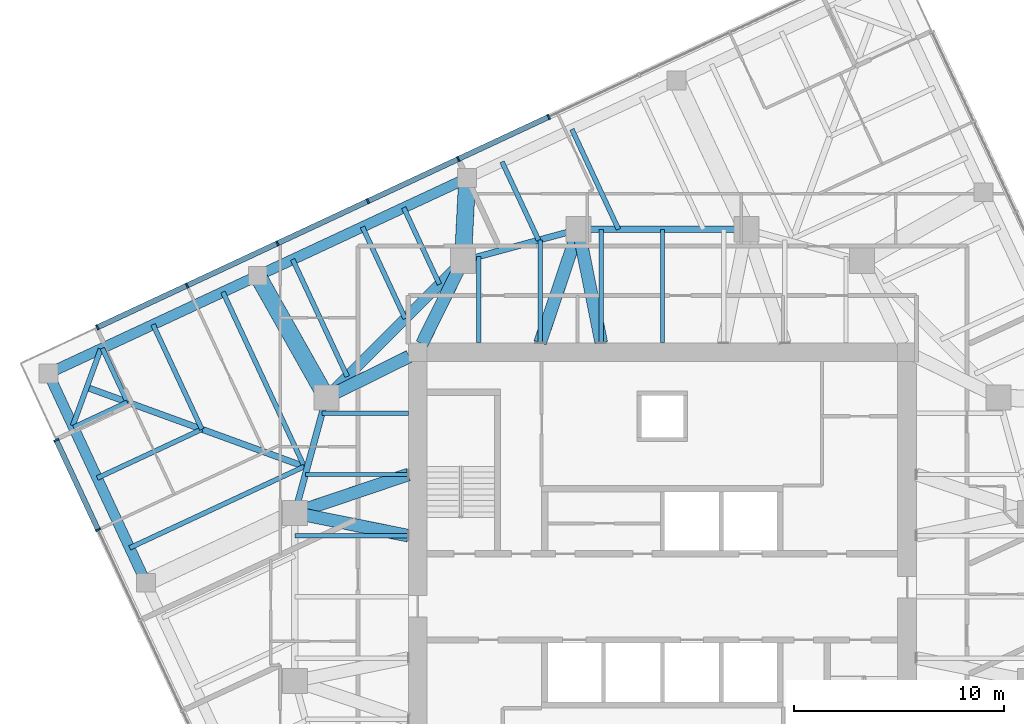
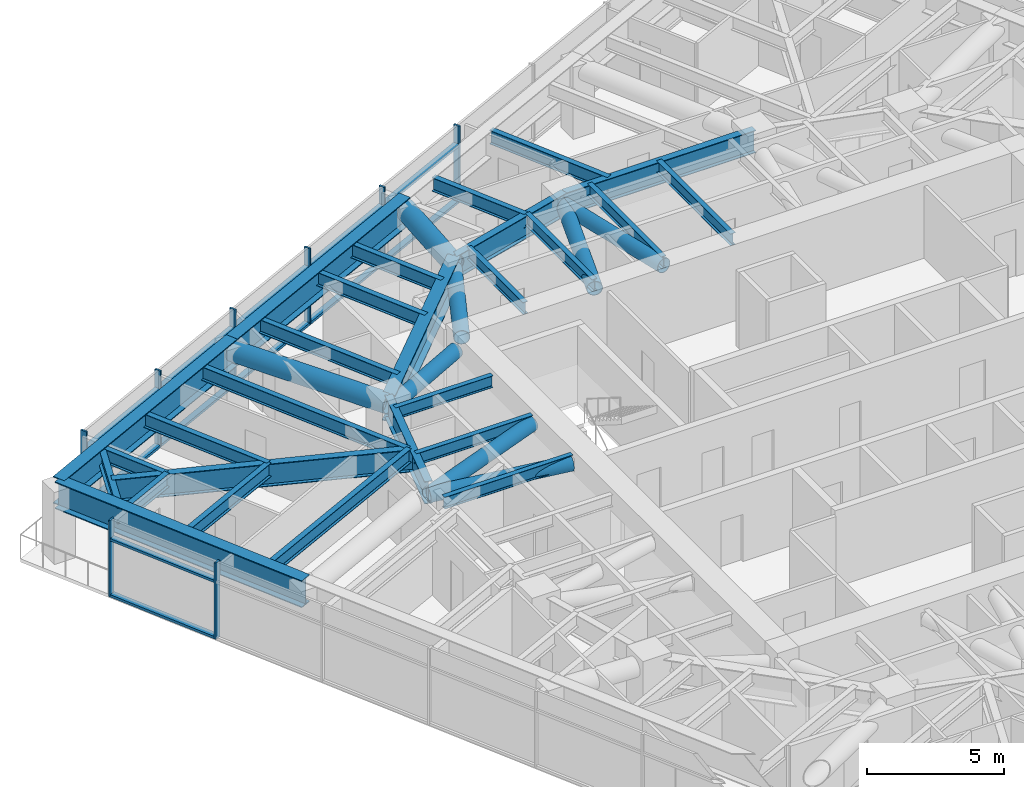
# One storey, part 5 of 16: 28 members, 27 beams, 2 elements without a shape of their own.
"""IFC4 building model written with IfcOpenShell, lengths in metres."""

from ifc_helpers import new_model, si_unit, direction, frame, origin, origin_2d, place, context, subcontext, project, spatial, rectangle, hollow_circle, i_section, extrude, material, material_profile, profile_set, type_object, element, aggregate, save


model = new_model("IFC4")

# Units and contexts
model_context = context("Model", 3, precision=1e-05, world=origin(), true_north=direction((0.0, 1.0)))
body_context = subcontext(model_context, "Body", "Model", "MODEL_VIEW")
ifc_project = project(units=[si_unit("LENGTHUNIT", "METRE"), si_unit("AREAUNIT", "SQUARE_METRE"), si_unit("VOLUMEUNIT", "CUBIC_METRE"), si_unit("PLANEANGLEUNIT", "RADIAN"), si_unit("MASSUNIT", "GRAM", prefix="KILO")], contexts=[model_context])

# Site, building, storey
site_placement = place(None, origin())
site = spatial("IfcSite", under=ifc_project, at=site_placement, CompositionType="ELEMENT")
building_placement = place(site_placement, origin())
building = spatial("IfcBuilding", under=site, at=building_placement, Name="Torsade Residences", CompositionType="ELEMENT")
storey_placement = place(building_placement, frame((0.0, 0.0, 199.800048828125)))
storey = spatial("IfcBuildingStorey", under=building, at=storey_placement, Name="L55", CompositionType="ELEMENT", Elevation=199.800048828125)

# Beams
ifc_material_1 = material(Name="Steel grade 300", Category="steel")
ifc_material_profile_1 = material_profile(ifc_material_1, i_section(OverallWidth=0.300048828125, OverallDepth=1.0, WebThickness=0.01611328125, FlangeThickness=0.028076171875, at=origin_2d()), Name="1000WB215")
ifc_profile_set_1 = profile_set([ifc_material_profile_1], Name="Steel grade 300")
beam_type_1 = type_object("IfcBeamType", Name="CORNER GIRDER 1000WB215", PredefinedType="BEAM", material=ifc_profile_set_1)
beam_1_placement = place(storey_placement, frame((12.5908203125, 39.97607421875, 2.699951171875), z_axis=(0.93969447651, -0.342015044723, 0.0), x_axis=(0.342015044723, 0.93969447651, 0.0)))
element("IfcBeam", 1, at=beam_1_placement, inside=storey, type_object=beam_type_1, Name="Corner girder 13 L56", PredefinedType="BEAM", context=body_context, shape_type="SweptSolid", body=[
    extrude(i_section(OverallWidth=0.300048828125, OverallDepth=1.0, WebThickness=0.01611328125, FlangeThickness=0.028076171875, at=origin_2d()), origin(), (0.0, 0.0, 1.0), 11.170654296875),
])
ifc_material_2 = material(Name="Steel grade 300", Category="steel")
ifc_material_profile_2 = material_profile(ifc_material_2, i_section(OverallWidth=0.25, OverallDepth=0.699951171875, WebThickness=0.010009765625, FlangeThickness=0.02001953125, at=origin_2d()), Name="700WB130")
ifc_profile_set_2 = profile_set([ifc_material_profile_2], Name="Steel grade 300")
beam_type_2 = type_object("IfcBeamType", Name="CORNER TRIMMER 700WB130", PredefinedType="BEAM", material=ifc_profile_set_2)
beam_2_placement = place(storey_placement, frame((11.92578125, 38.14892578125, 2.849853515625), z_axis=(0.342005152204, 0.939698076972, 0.0), x_axis=(-0.939698076972, 0.342005152204, 0.0)))
element("IfcBeam", 2, at=beam_2_placement, inside=storey, type_object=beam_type_2, Name="Corner trimmer 13 L56", PredefinedType="BEAM", context=body_context, shape_type="SweptSolid", body=[
    extrude(i_section(OverallWidth=0.25, OverallDepth=0.699951171875, WebThickness=0.010009765625, FlangeThickness=0.02001953125, at=origin_2d()), origin(), (0.0, 0.0, 1.0), 3.88916015625),
])
ifc_material_3 = material(Name="Steel grade 300", Category="steel")
ifc_material_profile_3 = material_profile(ifc_material_3, i_section(OverallWidth=0.208984375, OverallDepth=0.528076171875, WebThickness=0.009521484375, FlangeThickness=0.01318359375, FilletRadius=0.013916015625, at=origin_2d()), Name="530UB82.0")
ifc_profile_set_3 = profile_set([ifc_material_profile_3], Name="Steel grade 300")
beam_type_3 = type_object("IfcBeamType", Name="INNER FLOOR BEAM 530UB82.0", PredefinedType="JOIST", material=ifc_profile_set_3)
beam_3_placement = place(storey_placement, frame((31.262451171875, 42.10009765625, 2.93603515625), z_axis=(0.0, 1.0, 0.0), x_axis=(-1.0, 0.0, 0.0)))
element("IfcBeam", 3, at=beam_3_placement, inside=storey, type_object=beam_type_3, Name="Inner floor beam IN01 L56", PredefinedType="JOIST", context=body_context, shape_type="SweptSolid", body=[
    extrude(i_section(OverallWidth=0.208984375, OverallDepth=0.528076171875, WebThickness=0.009521484375, FlangeThickness=0.01318359375, FilletRadius=0.013916015625, at=origin_2d()), origin(), (0.0, 0.0, 1.0), 4.10791015625),
])
beam_4_placement = place(storey_placement, frame((34.175048828125, 42.10009765625, 2.93603515625), z_axis=(0.0, 1.0, 0.0), x_axis=(-1.0, 0.0, 0.0)))
element("IfcBeam", 4, at=beam_4_placement, inside=storey, type_object=beam_type_3, Name="Inner floor beam IN02 L56", PredefinedType="JOIST", context=body_context, shape_type="SweptSolid", body=[
    extrude(i_section(OverallWidth=0.208984375, OverallDepth=0.528076171875, WebThickness=0.009521484375, FlangeThickness=0.01318359375, FilletRadius=0.013916015625, at=origin_2d()), origin(), (0.0, 0.0, 1.0), 4.902099609375),
])
for number, where, z_axis, x_axis, name in (
    (5, (37.08740234375, 42.10009765625, 2.93603515625), (0.0, 1.0, 0.0), (-1.0, 0.0, 0.0), "Inner floor beam IN03 L56"),
    (6, (40.0, 42.10009765625, 2.93603515625), (0.0, 1.0, 0.0), (-1.0, 0.0, 0.0), "Inner floor beam IN04 L56"),
):
    element("IfcBeam", number, at=place(storey_placement, frame(where, z_axis=z_axis, x_axis=x_axis)), inside=storey, type_object=beam_type_3, Name=name, PredefinedType="JOIST", context=body_context, shape_type="SweptSolid", body=[
        extrude(i_section(OverallWidth=0.208984375, OverallDepth=0.528076171875, WebThickness=0.009521484375, FlangeThickness=0.01318359375, FilletRadius=0.013916015625, at=origin_2d()), origin(), (0.0, 0.0, 1.0), 5.39990234375),
    ])
beam_5_placement = place(storey_placement, frame((27.89990234375, 38.737548828125, 2.93603515625), z_axis=(-1.0, 0.0, 0.0), x_axis=(0.0, -1.0, 0.0)))
element("IfcBeam", 7, at=beam_5_placement, inside=storey, type_object=beam_type_3, Name="Inner floor beam IW01 L56", PredefinedType="JOIST", context=body_context, shape_type="SweptSolid", body=[
    extrude(i_section(OverallWidth=0.208984375, OverallDepth=0.528076171875, WebThickness=0.009521484375, FlangeThickness=0.01318359375, FilletRadius=0.013916015625, at=origin_2d()), origin(), (0.0, 0.0, 1.0), 4.10791015625),
])
beam_6_placement = place(storey_placement, frame((27.89990234375, 35.824951171875, 2.93603515625), z_axis=(-1.0, 0.0, 0.0), x_axis=(0.0, -1.0, 0.0)))
element("IfcBeam", 8, at=beam_6_placement, inside=storey, type_object=beam_type_3, Name="Inner floor beam IW02 L56", PredefinedType="JOIST", context=body_context, shape_type="SweptSolid", body=[
    extrude(i_section(OverallWidth=0.208984375, OverallDepth=0.528076171875, WebThickness=0.009521484375, FlangeThickness=0.01318359375, FilletRadius=0.013916015625, at=origin_2d()), origin(), (0.0, 0.0, 1.0), 4.902099609375),
])
beam_7_placement = place(storey_placement, frame((27.89990234375, 32.91259765625, 2.93603515625), z_axis=(-1.0, 0.0, 0.0), x_axis=(0.0, -1.0, 0.0)))
element("IfcBeam", 9, at=beam_7_placement, inside=storey, type_object=beam_type_3, Name="Inner floor beam IW03 L56", PredefinedType="JOIST", context=body_context, shape_type="SweptSolid", body=[
    extrude(i_section(OverallWidth=0.208984375, OverallDepth=0.528076171875, WebThickness=0.009521484375, FlangeThickness=0.01318359375, FilletRadius=0.013916015625, at=origin_2d()), origin(), (0.0, 0.0, 1.0), 5.39990234375),
])

# Curtain wall, members
ifc_material_4 = material(Name="Aluminium and glass", Category="aluminium")
curtain_wall_type = type_object("IfcCurtainWallType", Name="FRITTED GLASS CURTAIN WALL MID ZONE", PredefinedType="NOTDEFINED", material=ifc_material_4)
curtain_wall_1_placement = place(storey_placement, origin())
curtain_wall_1 = element("IfcCurtainWall", 10, at=curtain_wall_1_placement, inside=storey, type_object=curtain_wall_type, Name="Curtain wall L55 face 7", PredefinedType="NOTDEFINED")
ifc_material_5 = material(Name="Aluminium mullion", Category="aluminium")
ifc_material_profile_4 = material_profile(ifc_material_5, rectangle(XDim=0.25, YDim=0.080078125, at=origin_2d()), Name="MID ZONE CURTAIN WALL MULLION 250x80")
ifc_profile_set_4 = profile_set([ifc_material_profile_4], Name="Aluminium mullion")
member_type_1 = type_object("IfcMemberType", Name="MID ZONE CURTAIN WALL MULLION 250x80", PredefinedType="MULLION", material=ifc_profile_set_4)
member_1_placement = place(storey_placement, frame((34.584716796875, 52.8525390625, 0.0), z_axis=(0.0, 0.0, 1.0), x_axis=(0.422618261978, -0.906307786926, 0.0)))
member_1 = element("IfcMember", 11, at=member_1_placement, type_object=member_type_1, Name="Mullion 4", PredefinedType="MULLION", context=body_context, shape_type="SweptSolid", body=[
    extrude(rectangle(XDim=0.25, YDim=0.080078125, at=origin_2d()), origin(), (0.0, 0.0, 1.0), 3.39990234375),
])
member_2_placement = place(storey_placement, frame((30.27978515625, 50.844970703125, 0.0), z_axis=(0.0, 0.0, 1.0), x_axis=(0.422618261978, -0.906307786926, 0.0)))
member_2 = element("IfcMember", 12, at=member_2_placement, type_object=member_type_1, Name="Mullion 5", PredefinedType="MULLION", context=body_context, shape_type="SweptSolid", body=[
    extrude(rectangle(XDim=0.25, YDim=0.080078125, at=origin_2d()), origin(), (0.0, 0.0, 1.0), 3.39990234375),
])
member_3_placement = place(storey_placement, frame((25.974853515625, 48.837646484375, 0.0), z_axis=(0.0, 0.0, 1.0), x_axis=(0.422618261978, -0.906307786926, 0.0)))
member_3 = element("IfcMember", 13, at=member_3_placement, type_object=member_type_1, Name="Mullion 6", PredefinedType="MULLION", context=body_context, shape_type="SweptSolid", body=[
    extrude(rectangle(XDim=0.25, YDim=0.080078125, at=origin_2d()), origin(), (0.0, 0.0, 1.0), 3.39990234375),
])
member_4_placement = place(storey_placement, frame((21.669921875, 46.830322265625, 0.0), z_axis=(0.0, 0.0, 1.0), x_axis=(0.422618261978, -0.906307786926, 0.0)))
member_4 = element("IfcMember", 14, at=member_4_placement, type_object=member_type_1, Name="Mullion 7", PredefinedType="MULLION", context=body_context, shape_type="SweptSolid", body=[
    extrude(rectangle(XDim=0.25, YDim=0.080078125, at=origin_2d()), origin(), (0.0, 0.0, 1.0), 3.39990234375),
])
member_5_placement = place(storey_placement, frame((17.364990234375, 44.82275390625, 0.0), z_axis=(0.0, 0.0, 1.0), x_axis=(0.422618261978, -0.906307786926, 0.0)))
member_5 = element("IfcMember", 15, at=member_5_placement, type_object=member_type_1, Name="Mullion 8", PredefinedType="MULLION", context=body_context, shape_type="SweptSolid", body=[
    extrude(rectangle(XDim=0.25, YDim=0.080078125, at=origin_2d()), origin(), (0.0, 0.0, 1.0), 3.39990234375),
])
member_6_placement = place(storey_placement, frame((13.09619140625, 42.832275390625, 0.0), z_axis=(0.0, 0.0, 1.0), x_axis=(0.422618261978, -0.906307786926, 0.0)))
member_6 = element("IfcMember", 16, at=member_6_placement, type_object=member_type_1, Name="Mullion 9", PredefinedType="MULLION", context=body_context, shape_type="SweptSolid", body=[
    extrude(rectangle(XDim=0.25, YDim=0.080078125, at=origin_2d()), origin(), (0.0, 0.0, 1.0), 3.39990234375),
])

curtain_wall_2_placement = place(storey_placement, origin())
curtain_wall_2 = element("IfcCurtainWall", 17, at=curtain_wall_2_placement, inside=storey, type_object=curtain_wall_type, Name="Curtain wall L55 face 10", PredefinedType="NOTDEFINED")
member_7_placement = place(storey_placement, frame((11.14208984375, 37.46337890625, 0.0), z_axis=(0.0, 0.0, 1.0), x_axis=(0.906307786926, 0.422618261978, 0.0)))
member_7 = element("IfcMember", 18, at=member_7_placement, type_object=member_type_1, Name="Mullion 1", PredefinedType="MULLION", context=body_context, shape_type="SweptSolid", body=[
    extrude(rectangle(XDim=0.25, YDim=0.080078125, at=origin_2d()), origin(), (0.0, 0.0, 1.0), 3.39990234375),
])
member_8_placement = place(storey_placement, frame((13.132568359375, 33.194580078125, 0.0), z_axis=(0.0, 0.0, 1.0), x_axis=(0.906307786926, 0.422618261978, 0.0)))
member_8 = element("IfcMember", 19, at=member_8_placement, type_object=member_type_1, Name="Mullion 2", PredefinedType="MULLION", context=body_context, shape_type="SweptSolid", body=[
    extrude(rectangle(XDim=0.25, YDim=0.080078125, at=origin_2d()), origin(), (0.0, 0.0, 1.0), 3.39990234375),
])

# Member
ifc_material_6 = material(Name="Aluminium transom", Category="aluminium")
ifc_material_profile_5 = material_profile(ifc_material_6, rectangle(XDim=0.25, YDim=0.110107421875, at=origin_2d()), Name="MID ZONE CURTAIN WALL TRANSOM 250x110")
ifc_profile_set_5 = profile_set([ifc_material_profile_5], Name="Aluminium transom")
member_type_2 = type_object("IfcMemberType", Name="MID ZONE CURTAIN WALL TRANSOM 250x110", PredefinedType="USERDEFINED", material=ifc_profile_set_5)
member_9_placement = place(storey_placement, frame((34.548583984375, 52.835693359375, 0.054931640625), z_axis=(-0.90631531293, -0.422602122035, 0.0), x_axis=(0.422602122035, -0.90631531293, 0.0)))
member_9 = element("IfcMember", 20, at=member_9_placement, type_object=member_type_2, Name="Transom 4.1", ObjectType="TRANSOM", PredefinedType="USERDEFINED", context=body_context, shape_type="SweptSolid", body=[
    extrude(rectangle(XDim=0.25, YDim=0.110107421875, at=origin_2d()), origin(), (0.0, 0.0, 1.0), 4.670166015625),
])

member_10_placement = place(storey_placement, frame((34.548583984375, 52.835693359375, 2.554931640625), z_axis=(-0.90631531293, -0.422602122035, 0.0), x_axis=(0.422602122035, -0.90631531293, 0.0)))
member_10 = element("IfcMember", 21, at=member_10_placement, type_object=member_type_2, Name="Transom 4.2", ObjectType="TRANSOM", PredefinedType="USERDEFINED", context=body_context, shape_type="SweptSolid", body=[
    extrude(rectangle(XDim=0.25, YDim=0.110107421875, at=origin_2d()), origin(), (0.0, 0.0, 1.0), 4.670166015625),
])

member_11_placement = place(storey_placement, frame((30.243408203125, 50.828125, 0.054931640625), z_axis=(-0.906305976097, -0.422622145291, 0.0), x_axis=(0.422622145291, -0.906305976097, 0.0)))
member_11 = element("IfcMember", 22, at=member_11_placement, type_object=member_type_2, Name="Transom 5.1", ObjectType="TRANSOM", PredefinedType="USERDEFINED", context=body_context, shape_type="SweptSolid", body=[
    extrude(rectangle(XDim=0.25, YDim=0.110107421875, at=origin_2d()), origin(), (0.0, 0.0, 1.0), 4.669921875),
])

member_12_placement = place(storey_placement, frame((30.243408203125, 50.828125, 2.554931640625), z_axis=(-0.906305976097, -0.422622145291, 0.0), x_axis=(0.422622145291, -0.906305976097, 0.0)))
member_12 = element("IfcMember", 23, at=member_12_placement, type_object=member_type_2, Name="Transom 5.2", ObjectType="TRANSOM", PredefinedType="USERDEFINED", context=body_context, shape_type="SweptSolid", body=[
    extrude(rectangle(XDim=0.25, YDim=0.110107421875, at=origin_2d()), origin(), (0.0, 0.0, 1.0), 4.669921875),
])

member_13_placement = place(storey_placement, frame((25.9384765625, 48.82080078125, 0.054931640625), z_axis=(-0.906305976097, -0.422622145291, 0.0), x_axis=(0.422622145291, -0.906305976097, 0.0)))
member_13 = element("IfcMember", 24, at=member_13_placement, type_object=member_type_2, Name="Transom 6.1", ObjectType="TRANSOM", PredefinedType="USERDEFINED", context=body_context, shape_type="SweptSolid", body=[
    extrude(rectangle(XDim=0.25, YDim=0.110107421875, at=origin_2d()), origin(), (0.0, 0.0, 1.0), 4.669921875),
])

member_14_placement = place(storey_placement, frame((25.9384765625, 48.82080078125, 2.554931640625), z_axis=(-0.906305976097, -0.422622145291, 0.0), x_axis=(0.422622145291, -0.906305976097, 0.0)))
member_14 = element("IfcMember", 25, at=member_14_placement, type_object=member_type_2, Name="Transom 6.2", ObjectType="TRANSOM", PredefinedType="USERDEFINED", context=body_context, shape_type="SweptSolid", body=[
    extrude(rectangle(XDim=0.25, YDim=0.110107421875, at=origin_2d()), origin(), (0.0, 0.0, 1.0), 4.669921875),
])

member_15_placement = place(storey_placement, frame((21.633544921875, 46.813232421875, 0.054931640625), z_axis=(-0.906305976097, -0.422622145291, 0.0), x_axis=(0.422622145291, -0.906305976097, 0.0)))
member_15 = element("IfcMember", 26, at=member_15_placement, type_object=member_type_2, Name="Transom 7.1", ObjectType="TRANSOM", PredefinedType="USERDEFINED", context=body_context, shape_type="SweptSolid", body=[
    extrude(rectangle(XDim=0.25, YDim=0.110107421875, at=origin_2d()), origin(), (0.0, 0.0, 1.0), 4.669921875),
])

member_16_placement = place(storey_placement, frame((21.633544921875, 46.813232421875, 2.554931640625), z_axis=(-0.906305976097, -0.422622145291, 0.0), x_axis=(0.422622145291, -0.906305976097, 0.0)))
member_16 = element("IfcMember", 27, at=member_16_placement, type_object=member_type_2, Name="Transom 7.2", ObjectType="TRANSOM", PredefinedType="USERDEFINED", context=body_context, shape_type="SweptSolid", body=[
    extrude(rectangle(XDim=0.25, YDim=0.110107421875, at=origin_2d()), origin(), (0.0, 0.0, 1.0), 4.669921875),
])

member_17_placement = place(storey_placement, frame((17.32861328125, 44.805908203125, 0.054931640625), z_axis=(-0.906305687176, -0.422622764878, 0.0), x_axis=(0.422622764878, -0.906305687176, 0.0)))
member_17 = element("IfcMember", 28, at=member_17_placement, type_object=member_type_2, Name="Transom 8.1", ObjectType="TRANSOM", PredefinedType="USERDEFINED", context=body_context, shape_type="SweptSolid", body=[
    extrude(rectangle(XDim=0.25, YDim=0.110107421875, at=origin_2d()), origin(), (0.0, 0.0, 1.0), 4.630126953125),
])

member_18_placement = place(storey_placement, frame((17.32861328125, 44.805908203125, 2.554931640625), z_axis=(-0.906305687176, -0.422622764878, 0.0), x_axis=(0.422622764878, -0.906305687176, 0.0)))
member_18 = element("IfcMember", 29, at=member_18_placement, type_object=member_type_2, Name="Transom 8.2", ObjectType="TRANSOM", PredefinedType="USERDEFINED", context=body_context, shape_type="SweptSolid", body=[
    extrude(rectangle(XDim=0.25, YDim=0.110107421875, at=origin_2d()), origin(), (0.0, 0.0, 1.0), 4.630126953125),
])

aggregate(curtain_wall_1, [member_1, member_2, member_3, member_4, member_5, member_6, member_9, member_10, member_11, member_12, member_13, member_14, member_15, member_16, member_17, member_18])

member_19_placement = place(storey_placement, frame((11.158935546875, 37.427001953125, 0.054931640625), z_axis=(0.422642962277, -0.906296268578, 0.0), x_axis=(0.906296268578, 0.422642962277, 0.0)))
member_19 = element("IfcMember", 30, at=member_19_placement, type_object=member_type_2, Name="Transom 1.1", ObjectType="TRANSOM", PredefinedType="USERDEFINED", context=body_context, shape_type="SweptSolid", body=[
    extrude(rectangle(XDim=0.25, YDim=0.110107421875, at=origin_2d()), origin(), (0.0, 0.0, 1.0), 4.6298828125),
])

member_20_placement = place(storey_placement, frame((11.158935546875, 37.427001953125, 2.554931640625), z_axis=(0.422642962277, -0.906296268578, 0.0), x_axis=(0.906296268578, 0.422642962277, 0.0)))
member_20 = element("IfcMember", 31, at=member_20_placement, type_object=member_type_2, Name="Transom 1.2", ObjectType="TRANSOM", PredefinedType="USERDEFINED", context=body_context, shape_type="SweptSolid", body=[
    extrude(rectangle(XDim=0.25, YDim=0.110107421875, at=origin_2d()), origin(), (0.0, 0.0, 1.0), 4.6298828125),
])

aggregate(curtain_wall_2, [member_7, member_8, member_19, member_20])

# Beams
ifc_material_7 = material(Name="Steel grade 300", Category="steel")
ifc_material_profile_6 = material_profile(ifc_material_7, i_section(OverallWidth=0.5, OverallDepth=1.199951171875, WebThickness=0.01611328125, FlangeThickness=0.0400390625, at=origin_2d()), Name="1200WB455")
ifc_profile_set_6 = profile_set([ifc_material_profile_6], Name="Steel grade 300")
beam_type_4 = type_object("IfcBeamType", Name="RING CORNER GIRDER 1200WB455", PredefinedType="BEAM", material=ifc_profile_set_6)
beam_8_placement = place(storey_placement, frame((30.5, 46.0, 2.599853515625), z_axis=(-0.707106781187, -0.707106781187, 0.0), x_axis=(0.707106781187, -0.707106781187, 0.0)))
element("IfcBeam", 32, at=beam_8_placement, inside=storey, type_object=beam_type_4, Name="Ring girder IR07 L56", PredefinedType="BEAM", context=body_context, shape_type="SweptSolid", body=[
    extrude(i_section(OverallWidth=0.5, OverallDepth=1.199951171875, WebThickness=0.01611328125, FlangeThickness=0.0400390625, at=origin_2d()), origin(), (0.0, 0.0, 1.0), 9.1923828125),
])
ifc_material_8 = material(Name="Steel grade 300", Category="steel")
ifc_material_profile_7 = material_profile(ifc_material_8, i_section(OverallWidth=0.300048828125, OverallDepth=1.0, WebThickness=0.01611328125, FlangeThickness=0.028076171875, at=origin_2d()), Name="1000WB215")
ifc_profile_set_7 = profile_set([ifc_material_profile_7], Name="Steel grade 300")
beam_type_5 = type_object("IfcBeamType", Name="RING GIRDER 1000WB215", PredefinedType="BEAM", material=ifc_profile_set_7)
beam_9_placement = place(storey_placement, frame((44.0, 47.5, 2.699951171875), z_axis=(-1.0, 0.0, 0.0), x_axis=(0.0, -1.0, 0.0)))
element("IfcBeam", 33, at=beam_9_placement, inside=storey, type_object=beam_type_5, Name="Ring girder IR05 L56", PredefinedType="BEAM", context=body_context, shape_type="SweptSolid", body=[
    extrude(i_section(OverallWidth=0.300048828125, OverallDepth=1.0, WebThickness=0.01611328125, FlangeThickness=0.028076171875, at=origin_2d()), origin(), (0.0, 0.0, 1.0), 8.0),
])
for number, where, z_axis, x_axis, name in (
    (34, (36.0, 47.5, 2.699951171875), (-0.964763821238, -0.263117405792, 0.0), (0.263117405792, -0.964763821238, 0.0), "Ring girder IR06 L56"),
    (35, (24.0, 39.5, 2.699951171875), (-0.263117405792, -0.964763821238, 0.0), (0.964763821238, -0.263117405792, 0.0), "Ring girder IR08 L56"),
):
    element("IfcBeam", number, at=place(storey_placement, frame(where, z_axis=z_axis, x_axis=x_axis)), inside=storey, type_object=beam_type_5, Name=name, PredefinedType="BEAM", context=body_context, shape_type="SweptSolid", body=[
        extrude(i_section(OverallWidth=0.300048828125, OverallDepth=1.0, WebThickness=0.01611328125, FlangeThickness=0.028076171875, at=origin_2d()), origin(), (0.0, 0.0, 1.0), 5.700927734375),
    ])
ifc_material_9 = material(Name="Steel grade 300", Category="steel")
ifc_material_profile_8 = material_profile(ifc_material_9, i_section(OverallWidth=0.22900390625, OverallDepth=0.612060546875, WebThickness=0.011962890625, FlangeThickness=0.01953125, FilletRadius=0.013916015625, at=origin_2d()), Name="610UB125")
ifc_profile_set_8 = profile_set([ifc_material_profile_8], Name="Steel grade 300")
beam_type_6 = type_object("IfcBeamType", Name="SECONDARY BEAM 610UB125", PredefinedType="JOIST", material=ifc_profile_set_8)
beam_10_placement = place(storey_placement, frame((35.68701171875, 52.26318359375, 2.89404296875), z_axis=(0.422631142882, -0.90630178035, 0.0), x_axis=(0.90630178035, 0.422631142882, 0.0)))
element("IfcBeam", 36, at=beam_10_placement, inside=storey, type_object=beam_type_6, Name="Floor beam FN05 L56", PredefinedType="JOIST", context=body_context, shape_type="SweptSolid", body=[
    extrude(i_section(OverallWidth=0.22900390625, OverallDepth=0.612060546875, WebThickness=0.011962890625, FlangeThickness=0.01953125, FilletRadius=0.013916015625, at=origin_2d()), origin(), (0.0, 0.0, 1.0), 5.255615234375),
])
beam_11_placement = place(storey_placement, frame((32.364013671875, 50.713623046875, 2.89404296875), z_axis=(0.422635442612, -0.906299775267, 0.0), x_axis=(0.906299775267, 0.422635442612, 0.0)))
element("IfcBeam", 37, at=beam_11_placement, inside=storey, type_object=beam_type_6, Name="Floor beam FN06 L56", PredefinedType="JOIST", context=body_context, shape_type="SweptSolid", body=[
    extrude(i_section(OverallWidth=0.22900390625, OverallDepth=0.612060546875, WebThickness=0.011962890625, FlangeThickness=0.01953125, FilletRadius=0.013916015625, at=origin_2d()), origin(), (0.0, 0.0, 1.0), 4.116455078125),
])
beam_12_placement = place(storey_placement, frame((27.681396484375, 48.530029296875, 2.89404296875), z_axis=(0.42261314367, -0.906310173615, 0.0), x_axis=(0.906310173615, 0.42261314367, 0.0)))
element("IfcBeam", 38, at=beam_12_placement, inside=storey, type_object=beam_type_6, Name="Floor beam FN07 L56", PredefinedType="JOIST", context=body_context, shape_type="SweptSolid", body=[
    extrude(i_section(OverallWidth=0.22900390625, OverallDepth=0.612060546875, WebThickness=0.011962890625, FlangeThickness=0.01953125, FilletRadius=0.013916015625, at=origin_2d()), origin(), (0.0, 0.0, 1.0), 4.02490234375),
])
beam_13_placement = place(storey_placement, frame((25.7177734375, 47.6142578125, 2.89404296875), z_axis=(0.422618876857, -0.906307500203, 0.0), x_axis=(0.906307500203, 0.422618876857, 0.0)))
element("IfcBeam", 39, at=beam_13_placement, inside=storey, type_object=beam_type_6, Name="Floor beam FN08 L56", PredefinedType="JOIST", context=body_context, shape_type="SweptSolid", body=[
    extrude(i_section(OverallWidth=0.22900390625, OverallDepth=0.612060546875, WebThickness=0.011962890625, FlangeThickness=0.01953125, FilletRadius=0.013916015625, at=origin_2d()), origin(), (0.0, 0.0, 1.0), 4.813232421875),
])
beam_14_placement = place(storey_placement, frame((22.39453125, 46.064697265625, 2.89404296875), z_axis=(0.42264848683, -0.906293692233, 0.0), x_axis=(0.906293692233, 0.42264848683, 0.0)))
element("IfcBeam", 40, at=beam_14_placement, inside=storey, type_object=beam_type_6, Name="Floor beam FN09 L56", PredefinedType="JOIST", context=body_context, shape_type="SweptSolid", body=[
    extrude(i_section(OverallWidth=0.22900390625, OverallDepth=0.612060546875, WebThickness=0.011962890625, FlangeThickness=0.01953125, FilletRadius=0.013916015625, at=origin_2d()), origin(), (0.0, 0.0, 1.0), 6.14794921875),
])
beam_15_placement = place(storey_placement, frame((19.071533203125, 44.51513671875, 2.89404296875), z_axis=(0.422618627092, -0.90630761667, 0.0), x_axis=(0.90630761667, 0.422618627092, 0.0)))
element("IfcBeam", 41, at=beam_15_placement, inside=storey, type_object=beam_type_6, Name="Floor beam FN10 L56", PredefinedType="JOIST", context=body_context, shape_type="SweptSolid", body=[
    extrude(i_section(OverallWidth=0.22900390625, OverallDepth=0.612060546875, WebThickness=0.011962890625, FlangeThickness=0.01953125, FilletRadius=0.013916015625, at=origin_2d()), origin(), (0.0, 0.0, 1.0), 9.166748046875),
])
beam_16_placement = place(storey_placement, frame((15.748291015625, 42.965576171875, 2.89404296875), z_axis=(0.422632720171, -0.90630104482, 0.0), x_axis=(0.90630104482, 0.422632720171, 0.0)))
element("IfcBeam", 42, at=beam_16_placement, inside=storey, type_object=beam_type_6, Name="Floor beam FN11 L56", PredefinedType="JOIST", context=body_context, shape_type="SweptSolid", body=[
    extrude(i_section(OverallWidth=0.22900390625, OverallDepth=0.612060546875, WebThickness=0.011962890625, FlangeThickness=0.01953125, FilletRadius=0.013916015625, at=origin_2d()), origin(), (0.0, 0.0, 1.0), 5.5),
])
for number, where, z_axis, x_axis, name in (
    (43, (13.33154296875, 41.838623046875, 2.89404296875), (0.42257409885, -0.906328379221, 0.0), (0.906328379221, 0.42257409885, 0.0), "Floor beam FN12 L56"),
    (44, (11.9609375, 38.0732421875, 2.89404296875), (0.906295375613, 0.422644877104, 0.0), (-0.422644877104, 0.906295375613, 0.0), "Floor beam FW01 L56"),
):
    element("IfcBeam", number, at=place(storey_placement, frame(where, z_axis=z_axis, x_axis=x_axis)), inside=storey, type_object=beam_type_6, Name=name, PredefinedType="JOIST", context=body_context, shape_type="SweptSolid", body=[
        extrude(i_section(OverallWidth=0.22900390625, OverallDepth=0.612060546875, WebThickness=0.011962890625, FlangeThickness=0.01953125, FilletRadius=0.013916015625, at=origin_2d()), origin(), (0.0, 0.0, 1.0), 2.833251953125),
    ])
beam_17_placement = place(storey_placement, frame((13.088134765625, 35.656494140625, 2.89404296875), z_axis=(0.90630104482, 0.422632720171, 0.0), x_axis=(-0.422632720171, 0.90630104482, 0.0)))
element("IfcBeam", 45, at=beam_17_placement, inside=storey, type_object=beam_type_6, Name="Floor beam FW02 L56", PredefinedType="JOIST", context=body_context, shape_type="SweptSolid", body=[
    extrude(i_section(OverallWidth=0.22900390625, OverallDepth=0.612060546875, WebThickness=0.011962890625, FlangeThickness=0.01953125, FilletRadius=0.013916015625, at=origin_2d()), origin(), (0.0, 0.0, 1.0), 5.5),
])
beam_18_placement = place(storey_placement, frame((14.6376953125, 32.333251953125, 2.89404296875), z_axis=(0.90630761667, 0.422618627092, 0.0), x_axis=(-0.422618627092, 0.90630761667, 0.0)))
element("IfcBeam", 46, at=beam_18_placement, inside=storey, type_object=beam_type_6, Name="Floor beam FW03 L56", PredefinedType="JOIST", context=body_context, shape_type="SweptSolid", body=[
    extrude(i_section(OverallWidth=0.22900390625, OverallDepth=0.612060546875, WebThickness=0.011962890625, FlangeThickness=0.01953125, FilletRadius=0.013916015625, at=origin_2d()), origin(), (0.0, 0.0, 1.0), 9.166748046875),
])

# Members
ifc_material_10 = material(Name="Steel grade 450", Category="steel")
ifc_material_profile_9 = material_profile(ifc_material_10, hollow_circle(Radius=0.304931640625, WallThickness=0.01611328125, at=origin_2d()), Name="610.0x16.0CHS")
ifc_profile_set_9 = profile_set([ifc_material_profile_9], Name="Steel grade 450")
member_type_3 = type_object("IfcMemberType", Name="TRANSFER FLOOR BRACE 610.0x16.0CHS", PredefinedType="BRACE", material=ifc_profile_set_9)
member_21_placement = place(storey_placement, frame((36.0, 47.5, 2.599853515625), z_axis=(0.197299045909, -0.97976207845, 0.03375434957), x_axis=(0.980320704809, 0.197411538983, 0.0)))
element("IfcMember", 47, at=member_21_placement, inside=storey, type_object=member_type_3, Name="Transfer floor brace TT6 bottom IR06IN03", PredefinedType="BRACE", context=body_context, shape_type="SweptSolid", body=[
    extrude(hollow_circle(Radius=0.304931640625, WallThickness=0.01611328125, at=origin_2d()), origin(), (0.0, 0.0, 1.0), 5.511474609375),
])
member_22_placement = place(storey_placement, frame((36.0, 47.5, 2.599853515625), z_axis=(-0.319999474368, -0.946855969774, 0.032620682203), x_axis=(0.947360151124, -0.320169867513, 0.0)))
element("IfcMember", 48, at=member_22_placement, inside=storey, type_object=member_type_3, Name="Transfer floor brace TT6 bottom IR06IN02", PredefinedType="BRACE", context=body_context, shape_type="SweptSolid", body=[
    extrude(hollow_circle(Radius=0.304931640625, WallThickness=0.01611328125, at=origin_2d()), origin(), (0.0, 0.0, 1.0), 5.702880859375),
])
for number, where, z_axis, x_axis, name in (
    (49, (30.5, 46.0, 2.599853515625), (-0.443105036702, -0.896469701914, 0.0), (0.896469701914, -0.443105036702, 0.0), "Transfer floor brace TT6 bottom IR07C"),
    (50, (24.0, 39.5, 2.599853515625), (0.896469701914, 0.443105036702, 0.0), (-0.443105036702, 0.896469701914, 0.0), "Transfer floor brace TT6 bottom IR08C"),
):
    element("IfcMember", number, at=place(storey_placement, frame(where, z_axis=z_axis, x_axis=x_axis)), inside=storey, type_object=member_type_3, Name=name, PredefinedType="BRACE", context=body_context, shape_type="SweptSolid", body=[
        extrude(hollow_circle(Radius=0.304931640625, WallThickness=0.01611328125, at=origin_2d()), origin(), (0.0, 0.0, 1.0), 4.40234375),
    ])
member_23_placement = place(storey_placement, frame((22.5, 34.0, 2.599853515625), z_axis=(0.97976207845, -0.197299045909, 0.03375434957), x_axis=(0.197411538983, 0.980320704809, 0.0)))
element("IfcMember", 51, at=member_23_placement, inside=storey, type_object=member_type_3, Name="Transfer floor brace TT6 bottom IR09IW03", PredefinedType="BRACE", context=body_context, shape_type="SweptSolid", body=[
    extrude(hollow_circle(Radius=0.304931640625, WallThickness=0.01611328125, at=origin_2d()), origin(), (0.0, 0.0, 1.0), 5.511474609375),
])
member_24_placement = place(storey_placement, frame((22.5, 34.0, 2.599853515625), z_axis=(0.946855969774, 0.319999474368, 0.032620682203), x_axis=(-0.320169867513, 0.947360151124, 0.0)))
element("IfcMember", 52, at=member_24_placement, inside=storey, type_object=member_type_3, Name="Transfer floor brace TT6 bottom IR09IW02", PredefinedType="BRACE", context=body_context, shape_type="SweptSolid", body=[
    extrude(hollow_circle(Radius=0.304931640625, WallThickness=0.01611328125, at=origin_2d()), origin(), (0.0, 0.0, 1.0), 5.702880859375),
])
ifc_material_11 = material(Name="Steel grade 450", Category="steel")
ifc_material_profile_10 = material_profile(ifc_material_11, hollow_circle(Radius=0.406494140625, WallThickness=0.02490234375, at=origin_2d()), Name="813.0x25.0CHS")
ifc_profile_set_10 = profile_set([ifc_material_profile_10], Name="Steel grade 450")
member_type_4 = type_object("IfcMemberType", Name="TRANSFER FLOOR STRUT 813.0x25.0CHS", PredefinedType="STRUT", material=ifc_profile_set_10)
member_25_placement = place(storey_placement, frame((30.702392578125, 49.938720703125, 2.800048828125), z_axis=(-0.051317652886, -0.998682381191, 0.0), x_axis=(0.998682381191, -0.051317652886, 0.0)))
element("IfcMember", 53, at=member_25_placement, inside=storey, type_object=member_type_4, Name="Transfer floor strut TT6 bottom 11IR07", PredefinedType="STRUT", context=body_context, shape_type="SweptSolid", body=[
    extrude(hollow_circle(Radius=0.406494140625, WallThickness=0.02490234375, at=origin_2d()), origin(), (0.0, 0.0, 1.0), 3.94384765625),
])
member_26_placement = place(storey_placement, frame((20.73291015625, 45.2900390625, 2.800048828125), z_axis=(0.491425472703, -0.870919631641, 0.0), x_axis=(0.870919631641, 0.491425472703, 0.0)))
element("IfcMember", 54, at=member_26_placement, inside=storey, type_object=member_type_4, Name="Transfer floor strut TT6 bottom 12IR08", PredefinedType="STRUT", context=body_context, shape_type="SweptSolid", body=[
    extrude(hollow_circle(Radius=0.406494140625, WallThickness=0.02490234375, at=origin_2d()), origin(), (0.0, 0.0, 1.0), 6.648193359375),
])

# Beams
ifc_material_12 = material(Name="Steel grade 300", Category="steel")
ifc_material_profile_11 = material_profile(ifc_material_12, i_section(OverallWidth=0.5, OverallDepth=1.199951171875, WebThickness=0.01611328125, FlangeThickness=0.0400390625, at=origin_2d()), Name="1200WB455")
ifc_profile_set_11 = profile_set([ifc_material_profile_11], Name="Steel grade 300")
beam_type_7 = type_object("IfcBeamType", Name="TRANSFER TRUSS CHORD 1200WB455", PredefinedType="USERDEFINED", material=ifc_profile_set_11)
for number, where, z_axis, x_axis, name in (
    (55, (30.702392578125, 49.938720703125, 2.800048828125), (-0.906313510001, -0.422605988587, 0.0), (0.422605988587, -0.906313510001, 0.0), "Transfer truss TT6 bottom chord 11"),
    (56, (20.73291015625, 45.2900390625, 2.800048828125), (-0.90630104482, -0.422632720171, 0.0), (0.422632720171, -0.90630104482, 0.0), "Transfer truss TT6 bottom chord 12"),
):
    element("IfcBeam", number, at=place(storey_placement, frame(where, z_axis=z_axis, x_axis=x_axis)), inside=storey, type_object=beam_type_7, Name=name, ObjectType="TRANSFER TRUSS CHORD", PredefinedType="USERDEFINED", context=body_context, shape_type="SweptSolid", body=[
        extrude(i_section(OverallWidth=0.5, OverallDepth=1.199951171875, WebThickness=0.01611328125, FlangeThickness=0.0400390625, at=origin_2d()), origin(), (0.0, 0.0, 1.0), 11.0),
    ])
beam_19_placement = place(storey_placement, frame((10.763671875, 40.64111328125, 2.800048828125), z_axis=(0.422614489543, -0.906309546032, 0.0), x_axis=(0.906309546032, 0.422614489543, 0.0)))
element("IfcBeam", 57, at=beam_19_placement, inside=storey, type_object=beam_type_7, Name="Transfer truss TT6 bottom chord 13", ObjectType="TRANSFER TRUSS CHORD", PredefinedType="USERDEFINED", context=body_context, shape_type="SweptSolid", body=[
    extrude(i_section(OverallWidth=0.5, OverallDepth=1.199951171875, WebThickness=0.01611328125, FlangeThickness=0.0400390625, at=origin_2d()), origin(), (0.0, 0.0, 1.0), 10.999755859375),
])

save(model, "model.ifc")
